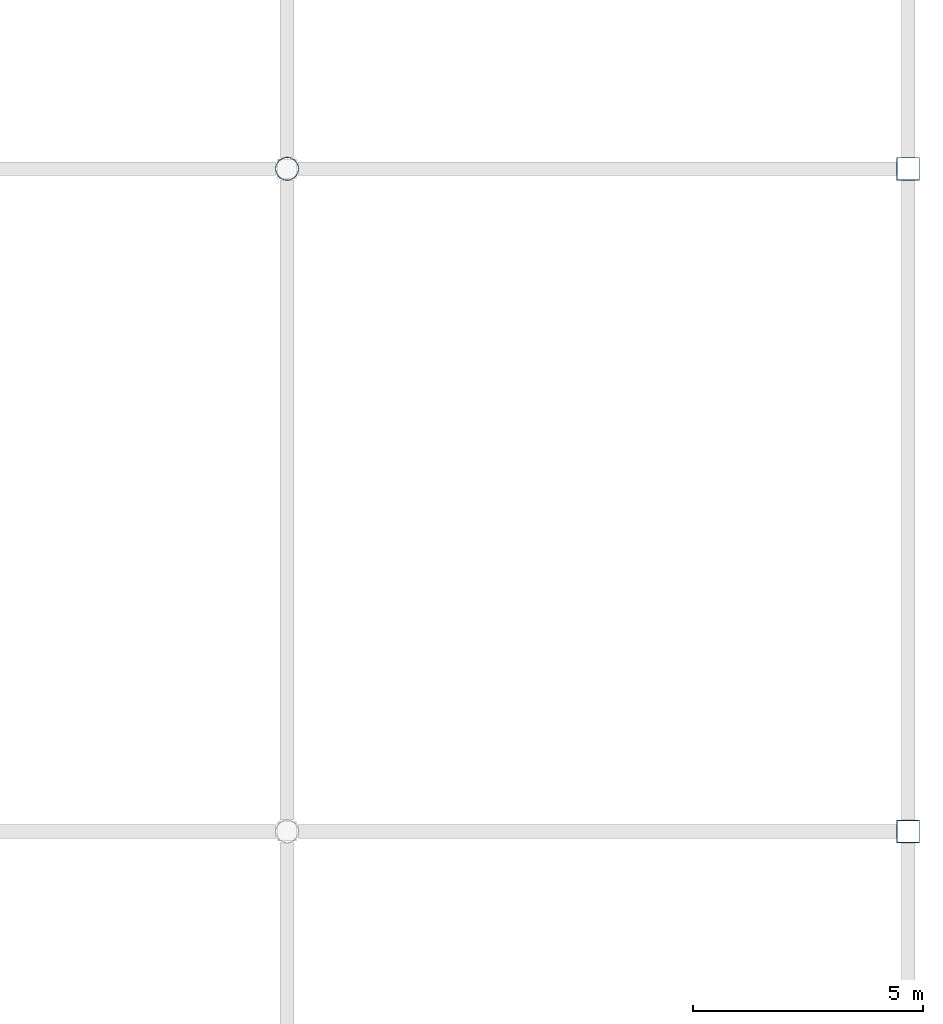
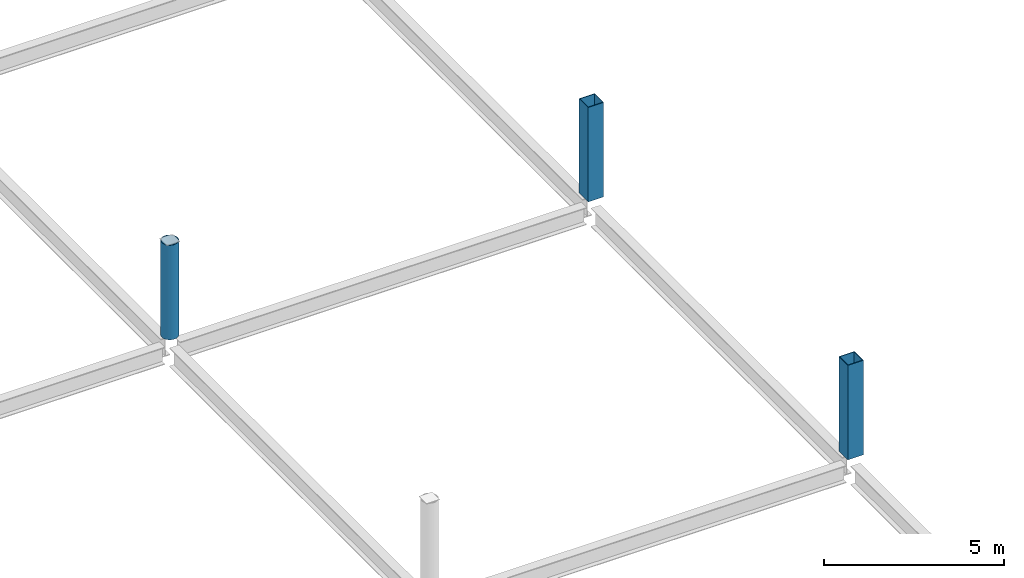
# One storey, part 16 of 134: 3 columns.
"""IFC4 building model written with IfcOpenShell, lengths in metres."""

import ifcopenshell
import ifcopenshell.guid

model = None  # the IFC model being written
_history = None  # IfcOwnerHistory: only IFC2X3 demands one
_inside = {}  # id of a spatial element -> (the spatial element, [elements in it])
_under = {}  # id of a project, library or spatial element -> (it, [spatial elements below it])
_declared = {}  # id of a project -> (the project, [libraries it declares])
_typed = {}  # id of a type object -> (the type object, [elements of that type])
_made_of = {}  # id of a material, layer set ... -> (it, [elements and type objects made of it])


def new_model(schema):
    """Start an empty IFC model of exactly this schema.

    Asked for "IFC4X3", IfcOpenShell would pick the latest addendum, in which some entities
    have other attributes; the version numbers below select the first issue.
    IFC2X3 requires an IfcOwnerHistory on every rooted entity: one is made here for all.
    """
    global model, _history
    if schema == "IFC4X3":
        model = ifcopenshell.file(schema_version=(4, 3, 0, 0))
    else:
        model = ifcopenshell.file(schema=schema)
    _inside.clear()
    _under.clear()
    _declared.clear()
    _typed.clear()
    _made_of.clear()
    _history = None
    if model.schema == "IFC2X3":
        org = make("IfcOrganization", Name="unknown")
        user = make(
            "IfcPersonAndOrganization",
            ThePerson=make("IfcPerson", FamilyName="unknown"),
            TheOrganization=org,
        )
        app = make(
            "IfcApplication",
            ApplicationDeveloper=org,
            Version="unknown",
            ApplicationFullName="unknown",
            ApplicationIdentifier="unknown",
        )
        _history = make(
            "IfcOwnerHistory",
            OwningUser=user,
            OwningApplication=app,
            ChangeAction="ADDED",
            CreationDate=0,
        )
    return model


def make(cls, **values):
    """One entity of the class cls with the attributes given. An attribute that is None is left unset."""
    return model.create_entity(
        cls, **{name: value for name, value in values.items() if value is not None}
    )


def rooted(cls, **values):
    """An entity with a GlobalId (a new one), such as an element, a storey or a relation."""
    return make(cls, GlobalId=ifcopenshell.guid.new(), OwnerHistory=_history, **values)


def si_unit(unit_type, name, prefix=None):
    """IfcSIUnit, for example si_unit("LENGTHUNIT", "METRE", prefix="MILLI")."""
    return make("IfcSIUnit", UnitType=unit_type, Prefix=prefix, Name=name)


def assignment(units):
    """IfcUnitAssignment: the units of a project."""
    return None if units is None else make("IfcUnitAssignment", Units=units)


def point(xyz):
    """IfcCartesianPoint."""
    return None if xyz is None else make("IfcCartesianPoint", Coordinates=xyz)


def direction(xyz):
    """IfcDirection."""
    return None if xyz is None else make("IfcDirection", DirectionRatios=xyz)


def frame(location, z_axis=None, x_axis=None):
    """IfcAxis2Placement3D, a coordinate frame: its origin and axes. An axis left out is left unset."""
    return make(
        "IfcAxis2Placement3D",
        Location=point(location),
        Axis=direction(z_axis),
        RefDirection=direction(x_axis),
    )


def frame_2d(location, x_axis=None):
    """IfcAxis2Placement2D, a coordinate frame in the plane: its origin and x axis."""
    return make(
        "IfcAxis2Placement2D", Location=point(location), RefDirection=direction(x_axis)
    )


def origin():
    """The frame at (0, 0, 0) with its axes left unset."""
    return frame((0.0, 0.0, 0.0))


def origin_2d():
    """The frame at (0, 0) in the plane with its x axis left unset."""
    return frame_2d((0.0, 0.0))


def place(relative_to, where):
    """IfcLocalPlacement: puts the frame where relative to a parent placement (None: the world)."""
    return make(
        "IfcLocalPlacement", PlacementRelTo=relative_to, RelativePlacement=where
    )


def context(
    kind, dimensions, precision=None, world=None, true_north=None, identifier=None
):
    """IfcGeometricRepresentationContext, for example the 3D "Model" context."""
    return make(
        "IfcGeometricRepresentationContext",
        ContextIdentifier=identifier,
        ContextType=kind,
        CoordinateSpaceDimension=dimensions,
        Precision=precision,
        WorldCoordinateSystem=world,
        TrueNorth=true_north,
    )


def subcontext(parent, identifier, kind, view, scale=None):
    """IfcGeometricRepresentationSubContext, for example "Body" below "Model"."""
    return make(
        "IfcGeometricRepresentationSubContext",
        ContextIdentifier=identifier,
        ContextType=kind,
        ParentContext=parent,
        TargetScale=scale,
        TargetView=view,
    )


def project(units=None, contexts=None):
    """IfcProject with its units and contexts."""
    return rooted(
        "IfcProject",
        Name="project",
        RepresentationContexts=contexts,
        UnitsInContext=assignment(units),
    )


def spatial(cls, under=None, at=None, **own):
    """A site, building, storey or space (cls), placed at a placement, below another one or the project."""
    s = rooted(cls, ObjectPlacement=at, **own)
    if under is not None:
        _under.setdefault(under.id(), (under, []))[1].append(s)
    return s


def profile(cls, at=None, kind="AREA", **sizes):
    """A parametric profile (cls). Its sizes go by their IFC names, for example OverallWidth=200.0."""
    return make(cls, ProfileType=kind, Position=at, **sizes)


def hollow_rectangle(**sizes):
    """IfcRectangleHollowProfileDef."""
    return profile("IfcRectangleHollowProfileDef", **sizes)


def hollow_circle(**sizes):
    """IfcCircleHollowProfileDef."""
    return profile("IfcCircleHollowProfileDef", **sizes)


def extrude(swept, where, along, depth):
    """IfcExtrudedAreaSolid: the profile swept, set in the frame where, extruded along a direction by depth."""
    return make(
        "IfcExtrudedAreaSolid",
        SweptArea=swept,
        Position=where,
        ExtrudedDirection=direction(along),
        Depth=depth,
    )


def shape(context_of_items, identifier, shape_type, items):
    """IfcShapeRepresentation: the items that make up one representation, for example the "Body"."""
    return make(
        "IfcShapeRepresentation",
        ContextOfItems=context_of_items,
        RepresentationIdentifier=identifier,
        RepresentationType=shape_type,
        Items=items,
    )


def material(Name=None, Category=None):
    """IfcMaterial."""
    return make("IfcMaterial", Name=Name, Category=Category)


def material_profile(
    of_material, cross_section, Name=None, Category=None, Priority=None
):
    """IfcMaterialProfile: a cross section and its material."""
    return make(
        "IfcMaterialProfile",
        Name=Name,
        Material=of_material,
        Profile=cross_section,
        Priority=Priority,
        Category=Category,
    )


def profile_set(profiles, Name=None, composite=None):
    """IfcMaterialProfileSet."""
    return make(
        "IfcMaterialProfileSet",
        Name=Name,
        MaterialProfiles=profiles,
        CompositeProfile=composite,
    )


def made_of(thing, what):
    """Note that an element or type object is made of a material, layer set ...; save() writes the relation."""
    if what is not None:
        _made_of.setdefault(what.id(), (what, []))[1].append(thing)
    return thing


def type_object(cls, material=None, **own):
    """A type object (cls), such as IfcWallType, which elements share."""
    return made_of(rooted(cls, **own), material)


def element(
    cls,
    number,
    at=None,
    inside=None,
    cuts=None,
    type_object=None,
    material=None,
    context=None,
    identifier="Body",
    shape_type=None,
    held_by="IfcProductDefinitionShape",
    body=None,
    shapes=None,
    **own,
):
    """One element of the class cls, such as IfcWall. Its Tag is "e" and its number.

    at: its placement. inside: the storey or other place that contains it. cuts: it is an
    opening in that element (IfcRelVoidsElement). A single representation is given by context,
    identifier, shape_type and body (its items); several are given by shapes. held_by: the class
    of the entity that holds the representations. save() writes the other relations.
    """
    e = rooted(cls, Tag="e%d" % number, ObjectPlacement=at, **own)
    if body is not None:
        shapes = [shape(context, identifier, shape_type, body)]
    if shapes is not None:
        e.Representation = make(held_by, Representations=shapes)
    if inside is not None:
        _inside.setdefault(inside.id(), (inside, []))[1].append(e)
    if cuts is not None:
        rooted(
            "IfcRelVoidsElement", RelatingBuildingElement=cuts, RelatedOpeningElement=e
        )
    if type_object is not None:
        _typed.setdefault(type_object.id(), (type_object, []))[1].append(e)
    return made_of(e, material)


def aggregate(whole, parts):
    """IfcRelAggregates: a whole, such as a stair, and the parts it consists of."""
    return rooted("IfcRelAggregates", RelatingObject=whole, RelatedObjects=parts)


def save(model, path):
    """Write the relations noted so far, then the file.

    IfcRelAggregates (storeys below a building ...), IfcRelContainedInSpatialStructure (elements
    in a storey), IfcRelDefinesByType, IfcRelAssociatesMaterial and IfcRelDeclares: one each for
    every whole, place, type object, material and project.
    """
    for whole, parts in _under.values():
        aggregate(whole, parts)
    for where, things in _inside.values():
        rooted(
            "IfcRelContainedInSpatialStructure",
            RelatedElements=things,
            RelatingStructure=where,
        )
    for kind, things in _typed.values():
        rooted("IfcRelDefinesByType", RelatedObjects=things, RelatingType=kind)
    for what, things in _made_of.values():
        rooted("IfcRelAssociatesMaterial", RelatedObjects=things, RelatingMaterial=what)
    for by, libraries in _declared.values():
        rooted("IfcRelDeclares", RelatingContext=by, RelatedDefinitions=libraries)
    model.write(path)


model = new_model("IFC4")

# Units and contexts
model_context = context("Model", 3, precision=1e-05, world=origin(), true_north=direction((0.0, 1.0)))
body_context = subcontext(model_context, "Body", "Model", "MODEL_VIEW")
ifc_project = project(units=[si_unit("LENGTHUNIT", "METRE"), si_unit("AREAUNIT", "SQUARE_METRE"), si_unit("VOLUMEUNIT", "CUBIC_METRE"), si_unit("PLANEANGLEUNIT", "RADIAN"), si_unit("MASSUNIT", "GRAM", prefix="KILO")], contexts=[model_context])

# Site, building, storey
site_placement = place(None, origin())
site = spatial("IfcSite", under=ifc_project, at=site_placement, CompositionType="ELEMENT")
building_placement = place(site_placement, origin())
building = spatial("IfcBuilding", under=site, at=building_placement, Name="Tamarisk Ironworks Central Station", CompositionType="ELEMENT")
storey_placement = place(building_placement, frame((0.0, 0.0, 12.60009765625)))
storey = spatial("IfcBuildingStorey", under=building, at=storey_placement, Name="L02", CompositionType="ELEMENT", Elevation=12.60009765625)

# Columns
ifc_material = material(Name="Structural steel S355J2H", Category="steel")
ifc_material_profile_1 = material_profile(ifc_material, hollow_rectangle(XDim=0.5, YDim=0.5, WallThickness=0.02001953125, at=origin_2d()), Name="SHS 500x500x20")
ifc_profile_set_1 = profile_set([ifc_material_profile_1], Name="Structural steel S355J2H")
column_type_1 = type_object("IfcColumnType", Name="COL-S13", PredefinedType="COLUMN", material=ifc_profile_set_1)
for number, where, z_axis, x_axis, name in (
    (1, (180.0, 36.0, 0.0), (0.0, 0.0, 1.0), (1.0, 0.0, 0.0), "L02 column V1-20D"),
    (2, (180.0, 50.39990234375, 0.0), (0.0, 0.0, 1.0), (1.0, 0.0, 0.0), "L02 column V1-20E"),
):
    element("IfcColumn", number, at=place(storey_placement, frame(where, z_axis=z_axis, x_axis=x_axis)), inside=storey, type_object=column_type_1, Name=name, PredefinedType="COLUMN", context=body_context, shape_type="SweptSolid", body=[
        extrude(hollow_rectangle(XDim=0.5, YDim=0.5, WallThickness=0.02001953125, at=origin_2d()), origin(), (0.0, 0.0, 1.0), 3.199951171875),
    ])
ifc_material_profile_2 = material_profile(ifc_material, hollow_circle(Radius=0.25390625, WallThickness=0.01611328125, at=origin_2d()), Name="CHS 508x16")
ifc_profile_set_2 = profile_set([ifc_material_profile_2], Name="Structural steel S355J2H")
column_type_2 = type_object("IfcColumnType", Name="COL-S16", PredefinedType="COLUMN", material=ifc_profile_set_2)
column_placement = place(storey_placement, frame((166.5, 50.39990234375, 0.0), z_axis=(0.0, 0.0, 1.0), x_axis=(1.0, 0.0, 0.0)))
element("IfcColumn", 3, at=column_placement, inside=storey, type_object=column_type_2, Name="L02 column V1-19E", PredefinedType="COLUMN", context=body_context, shape_type="SweptSolid", body=[
    extrude(hollow_circle(Radius=0.25390625, WallThickness=0.01611328125, at=origin_2d()), origin(), (0.0, 0.0, 1.0), 3.199951171875),
])

save(model, "model.ifc")
